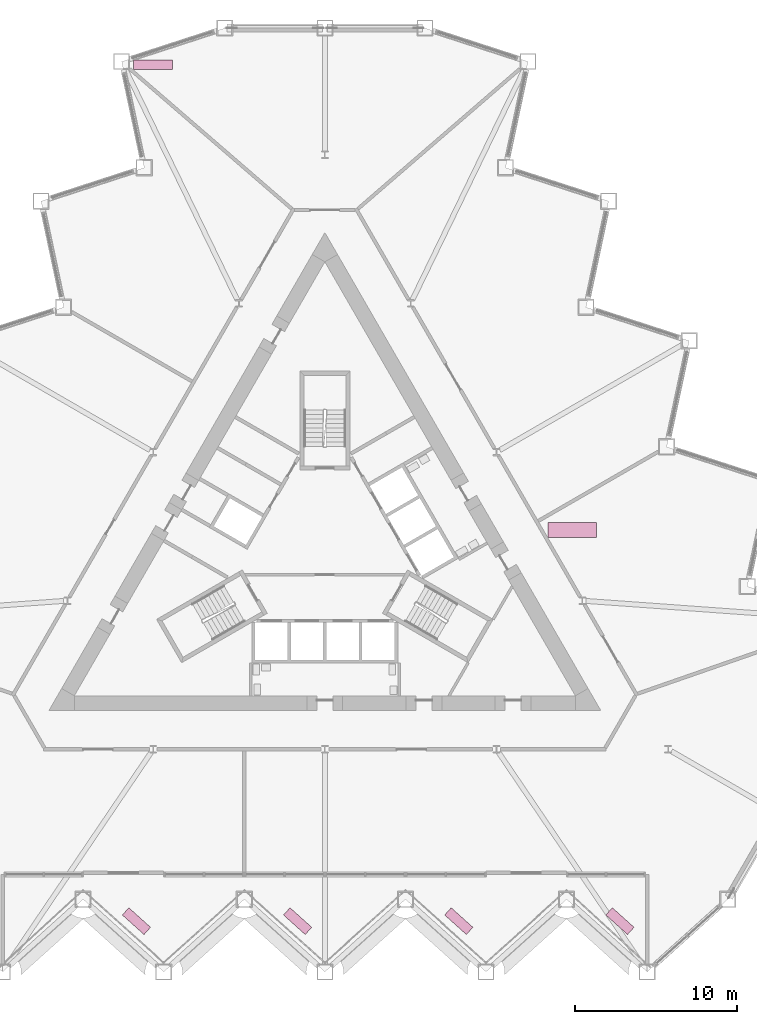
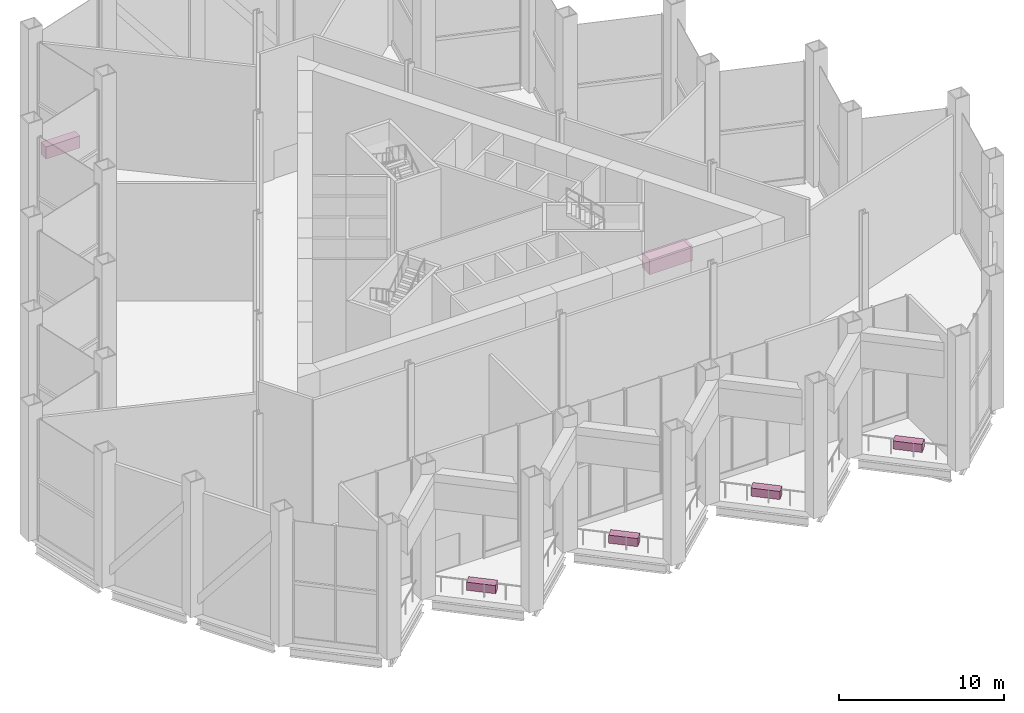
# One storey, part 17 of 17: 6 furniture elements.
"""IFC4 building model written with IfcOpenShell, lengths in metres."""

from ifc_helpers import new_model, si_unit, direction, frame, origin, origin_2d, place, context, subcontext, project, spatial, rectangle, extrude, material, type_object, element, save


model = new_model("IFC4")

# Units and contexts
model_context = context("Model", 3, precision=1e-05, world=origin(), true_north=direction((0.0, 1.0)))
body_context = subcontext(model_context, "Body", "Model", "MODEL_VIEW")
ifc_project = project(units=[si_unit("LENGTHUNIT", "METRE"), si_unit("AREAUNIT", "SQUARE_METRE"), si_unit("VOLUMEUNIT", "CUBIC_METRE"), si_unit("PLANEANGLEUNIT", "RADIAN"), si_unit("MASSUNIT", "GRAM", prefix="KILO")], contexts=[model_context])

# Site, building, storey
site_placement = place(None, origin())
site = spatial("IfcSite", under=ifc_project, at=site_placement, CompositionType="ELEMENT")
building_placement = place(site_placement, origin())
building = spatial("IfcBuilding", under=site, at=building_placement, Name="Cormorant Prow Tower", CompositionType="ELEMENT")
storey_placement = place(building_placement, frame((0.0, 0.0, 84.60009765625)))
storey = spatial("IfcBuildingStorey", under=building, at=storey_placement, Name="L18", CompositionType="ELEMENT", Elevation=84.60009765625)

# Furniture
ifc_material_1 = material(Name="Timber joinery", Category="wood")
furniture_type_1 = type_object("IfcFurnitureType", Name="Kitchen counter 2400x600", AssemblyPlace="NOTDEFINED", PredefinedType="NOTDEFINED", material=ifc_material_1)
furniture_1_placement = place(storey_placement, frame((-10.595947265625, 29.974853515625, 0.0), z_axis=(0.0, 0.0, 1.0), x_axis=(1.0, 0.0, 0.0)))
element("IfcFurniture", 1, at=furniture_1_placement, inside=storey, type_object=furniture_type_1, Name="Kitchen counter", PredefinedType="NOTDEFINED", context=body_context, shape_type="SweptSolid", body=[
    extrude(rectangle(XDim=2.39990234375, YDim=0.60009765625, at=origin_2d()), origin(), (0.0, 0.0, 1.0), 0.89990234375),
])
ifc_material_2 = material(Name="Timber joinery", Category="wood")
furniture_type_2 = type_object("IfcFurnitureType", Name="Reception desk 3000x900", AssemblyPlace="NOTDEFINED", PredefinedType="DESK", material=ifc_material_2)
furniture_2_placement = place(storey_placement, frame((15.2412109375, 1.300537109375, -0.000244140625), z_axis=(0.0, 0.0, 1.0), x_axis=(1.0, 0.0, 0.0)))
element("IfcFurniture", 2, at=furniture_2_placement, inside=storey, type_object=furniture_type_2, Name="Reception desk", PredefinedType="DESK", context=body_context, shape_type="SweptSolid", body=[
    extrude(rectangle(XDim=3.0, YDim=0.89990234375, at=origin_2d()), origin(), (0.0, 0.0, 1.0), 1.10009765625),
])
ifc_material_3 = material(Name="Terracotta", Category="masonry")
furniture_type_3 = type_object("IfcFurnitureType", Name="Terrace planter 1800x600x600", AssemblyPlace="NOTDEFINED", PredefinedType="USERDEFINED", material=ifc_material_3)
for number, where, z_axis, x_axis, name in (
    (3, (-11.6123046875, -22.803955078125, -0.000244140625), (0.0, 0.0, 1.0), (0.743144804001, -0.669130630211, 0.0), "Terrace planter S02"),
    (4, (-1.68017578125, -22.803955078125, -0.000244140625), (0.0, 0.0, 1.0), (0.743144804001, -0.669130630211, 0.0), "Terrace planter S04"),
    (5, (8.251953125, -22.803955078125, -0.000244140625), (0.0, 0.0, 1.0), (0.743144804001, -0.669130630211, 0.0), "Terrace planter S06"),
    (6, (18.18408203125, -22.803955078125, -0.000244140625), (0.0, 0.0, 1.0), (0.743144804001, -0.669130630211, 0.0), "Terrace planter S08"),
):
    element("IfcFurniture", number, at=place(storey_placement, frame(where, z_axis=z_axis, x_axis=x_axis)), inside=storey, type_object=furniture_type_3, Name=name, ObjectType="PLANTER", PredefinedType="USERDEFINED", context=body_context, shape_type="SweptSolid", body=[
        extrude(rectangle(XDim=1.800048828125, YDim=0.60009765625, at=origin_2d()), origin(), (0.0, 0.0, 1.0), 0.60009765625),
    ])

save(model, "model.ifc")
